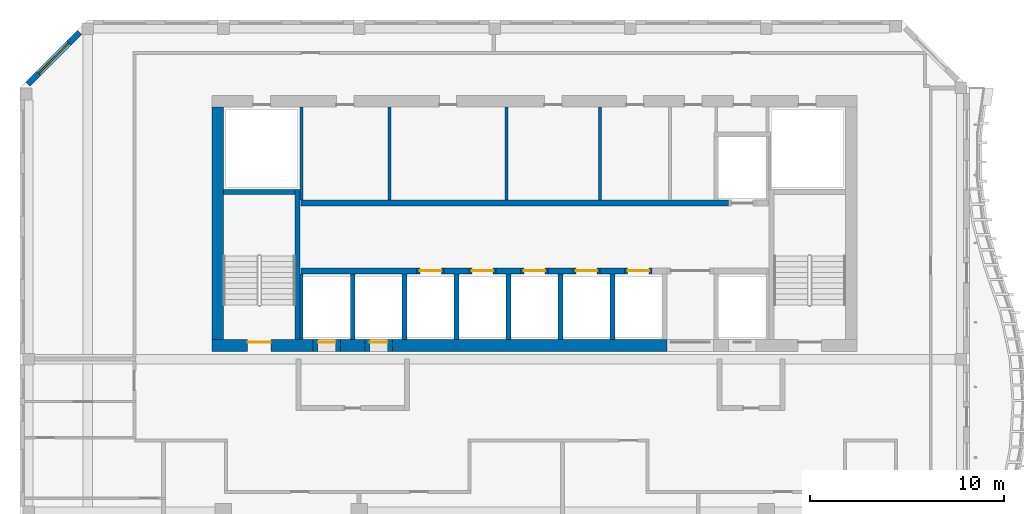
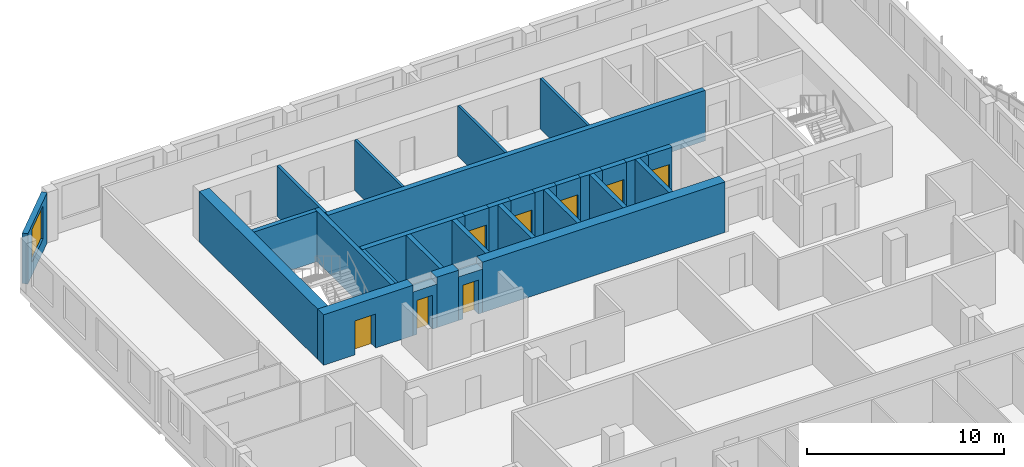
# One storey, part 6 of 17: 31 walls, 8 doors, 1 window, 9 openings.
"""IFC4 building model written with IfcOpenShell, lengths in metres."""

from ifc_helpers import new_model, si_unit, direction, frame, frame_2d, origin, place, context, subcontext, project, spatial, rectangle, extrude, source, transform, mapped, material, layer, layer_set, type_object, element, fill, save


model = new_model("IFC4")

# Units and contexts
model_context = context("Model", 3, precision=1e-05, world=origin(), true_north=direction((0.0, 1.0)))
body_context = subcontext(model_context, "Body", "Model", "MODEL_VIEW")
ifc_project = project(units=[si_unit("LENGTHUNIT", "METRE"), si_unit("AREAUNIT", "SQUARE_METRE"), si_unit("VOLUMEUNIT", "CUBIC_METRE"), si_unit("PLANEANGLEUNIT", "RADIAN"), si_unit("MASSUNIT", "GRAM", prefix="KILO")], contexts=[model_context])

# Site, building, storey
site_placement = place(None, origin())
site = spatial("IfcSite", under=ifc_project, at=site_placement, CompositionType="ELEMENT")
building_placement = place(site_placement, origin())
building = spatial("IfcBuilding", under=site, at=building_placement, Name="Kilnfold Tower and Market Hall", CompositionType="ELEMENT")
storey_placement = place(building_placement, frame((0.0, 0.0, 305.199951171875)))
storey = spatial("IfcBuildingStorey", under=building, at=storey_placement, Name="L76", CompositionType="ELEMENT", Elevation=305.199951171875)

# Walls
ifc_material_1 = material(Name="Concrete C50", Category="concrete")
ifc_layer_1 = layer(ifc_material_1, 0.25)
ifc_layer_set_1 = layer_set([ifc_layer_1], Name="Concrete C50")
wall_type_1 = type_object("IfcWallType", Name="CORE WALL 250 C50", PredefinedType="SHEAR", material=ifc_layer_set_1)
shared_shape_1 = source(origin(), body_context, "Body", "SweptSolid", [
    extrude(rectangle(XDim=7.75, YDim=0.25, at=frame_2d((3.875, 0.0))), origin(), (0.0, 0.0, 1.0), 3.1201171875),
])
wall_1_placement = place(storey_placement, frame((-11.175048828125, 9.0, 0.0), z_axis=(0.0, 0.0, 1.0), x_axis=(0.0, 1.0, 0.0)))
element("IfcWall", 1, at=wall_1_placement, inside=storey, type_object=wall_type_1, Name="Stair enclosure ST1", PredefinedType="SHEAR", context=body_context, shape_type="MappedRepresentation", body=[
    mapped(shared_shape_1, transform((0.0, 0.0, 0.0))),
])
shared_shape_2 = source(origin(), body_context, "Body", "SweptSolid", [
    extrude(rectangle(XDim=3.699951171875, YDim=0.25, at=frame_2d((1.85009765625, 0.0))), origin(), (0.0, 0.0, 1.0), 3.1201171875),
])
wall_2_placement = place(storey_placement, frame((-15.0, 16.625, 0.0), z_axis=(0.0, 0.0, 1.0), x_axis=(1.0, 0.0, 0.0)))
element("IfcWall", 2, at=wall_2_placement, inside=storey, type_object=wall_type_1, Name="Stair enclosure ST1", PredefinedType="SHEAR", context=body_context, shape_type="MappedRepresentation", body=[
    mapped(shared_shape_2, transform((0.0, 0.0, 0.0))),
])
ifc_material_2 = material(Name="Concrete C50", Category="concrete")
ifc_layer_2 = layer(ifc_material_2, 0.300048828125)
ifc_layer_set_2 = layer_set([ifc_layer_2], Name="Concrete C50")
wall_type_2 = type_object("IfcWallType", Name="CORE WALL 300 C50", PredefinedType="SHEAR", material=ifc_layer_set_2)
shared_shape_3 = source(origin(), body_context, "Body", "SweptSolid", [
    extrude(rectangle(XDim=6.0, YDim=0.300048828125, at=frame_2d((3.0, 0.0))), origin(), (0.0, 0.0, 1.0), 3.1201171875),
])
wall_3_placement = place(storey_placement, frame((-11.010009765625, 12.550048828125, 0.0), z_axis=(0.0, 0.0, 1.0), x_axis=(1.0, 0.0, 0.0)))
element("IfcWall", 3, at=wall_3_placement, inside=storey, type_object=wall_type_2, Name="Core spine wall", PredefinedType="SHEAR", context=body_context, shape_type="MappedRepresentation", body=[
    mapped(shared_shape_3, transform((0.0, 0.0, 0.0))),
])
shared_shape_4 = source(origin(), body_context, "Body", "SweptSolid", [
    extrude(rectangle(XDim=1.280029296875, YDim=0.300048828125, at=frame_2d((0.64013671875, 0.0))), origin(), (0.0, 0.0, 1.0), 3.1201171875),
])
for number, where, z_axis, x_axis, name in (
    (4, (-3.610107421875, 12.550048828125, 0.0), (0.0, 0.0, 1.0), (1.0, 0.0, 0.0), "Core spine wall"),
    (5, (-0.929931640625, 12.550048828125, 0.0), (0.0, 0.0, 1.0), (1.0, 0.0, 0.0), "Core spine wall"),
    (6, (1.75, 12.550048828125, 0.0), (0.0, 0.0, 1.0), (1.0, 0.0, 0.0), "Core spine wall"),
    (7, (4.429931640625, 12.550048828125, 0.0), (0.0, 0.0, 1.0), (1.0, 0.0, 0.0), "Core spine wall"),
):
    element("IfcWall", number, at=place(storey_placement, frame(where, z_axis=z_axis, x_axis=x_axis)), inside=storey, type_object=wall_type_2, Name=name, PredefinedType="SHEAR", context=body_context, shape_type="MappedRepresentation", body=[
        mapped(shared_shape_4, transform((0.0, 0.0, 0.0))),
    ])
shared_shape_5 = source(origin(), body_context, "Body", "SweptSolid", [
    extrude(rectangle(XDim=22.080078125, YDim=0.300048828125, at=frame_2d((11.0400390625, 0.0))), origin(), (0.0, 0.0, 1.0), 3.1201171875),
])
wall_4_placement = place(storey_placement, frame((-11.010009765625, 16.050048828125, 0.0), z_axis=(0.0, 0.0, 1.0), x_axis=(1.0, 0.0, 0.0)))
element("IfcWall", 8, at=wall_4_placement, inside=storey, type_object=wall_type_2, Name="Core spine wall", PredefinedType="SHEAR", context=body_context, shape_type="MappedRepresentation", body=[
    mapped(shared_shape_5, transform((0.0, 0.0, 0.0))),
])

# Wall, opening, door
ifc_material_3 = material(Name="Concrete C50", Category="concrete")
ifc_layer_3 = layer(ifc_material_3, 0.60009765625)
ifc_layer_set_3 = layer_set([ifc_layer_3], Name="Concrete C50")
wall_type_3 = type_object("IfcWallType", Name="CORE WALL 600 C50", PredefinedType="SHEAR", material=ifc_layer_set_3)
shared_shape_6 = source(origin(), body_context, "Body", "SweptSolid", [
    extrude(rectangle(XDim=5.22998046875, YDim=0.60009765625, at=frame_2d((2.614990234375, 0.0))), origin(), (0.0, 0.0, 1.0), 3.1201171875),
])
wall_5_placement = place(storey_placement, frame((-15.60009765625, 8.699951171875, 0.0), z_axis=(0.0, 0.0, 1.0), x_axis=(1.0, 0.0, 0.0)))
wall_5 = element("IfcWall", 9, at=wall_5_placement, inside=storey, type_object=wall_type_3, Name="Core outer wall south", PredefinedType="SHEAR", context=body_context, shape_type="MappedRepresentation", body=[
    mapped(shared_shape_6, transform((0.0, 0.0, 0.0))),
])
opening_1_placement = place(wall_5_placement, frame((1.85009765625, 0.0, 0.0)))
opening_1 = element("IfcOpeningElement", 10, at=opening_1_placement, cuts=wall_5, Name="Opening SD1", PredefinedType="OPENING", context=body_context, shape_type="SweptSolid", body=[
    extrude(rectangle(XDim=1.199951171875, YDim=2.10009765625, at=frame_2d((0.60009765625, 1.050048828125))), frame((0.0, 0.31005859375, 0.0), z_axis=(0.0, -1.0, 0.0), x_axis=(1.0, 0.0, 0.0)), (0.0, 0.0, 1.0), 0.6201171875),
])
ifc_material_4 = material(Name="Steel door set with fire-resisting leaf", Category="steel")
door_type_1 = type_object("IfcDoorType", Name="STAIR FLOOR DOOR 1200X2100", OperationType="NOTDEFINED", PredefinedType="DOOR", material=ifc_material_4)
door_1_placement = place(opening_1_placement, origin())
door_1 = element("IfcDoor", 11, at=door_1_placement, inside=storey, type_object=door_type_1, Name="Exit stair ST1 door", OperationType="DOUBLE_DOOR_SINGLE_SWING", OverallHeight=2.10009765625, OverallWidth=1.199951171875, PredefinedType="DOOR", context=body_context, shape_type="SweptSolid", body=[
    extrude(rectangle(XDim=1.199951171875, YDim=2.10009765625, at=frame_2d((0.60009765625, 1.050048828125))), frame((0.0, 0.205078125, 0.0), z_axis=(0.0, -1.0, 0.0), x_axis=(1.0, 0.0, 0.0)), (0.0, 0.0, 1.0), 0.050048828125),
])
fill(opening_1, door_1)

# Walls
shared_shape_7 = source(origin(), body_context, "Body", "SweptSolid", [
    extrude(rectangle(XDim=1.280029296875, YDim=0.60009765625, at=frame_2d((0.64013671875, 0.0))), origin(), (0.0, 0.0, 1.0), 3.1201171875),
])
wall_6_placement = place(storey_placement, frame((-8.969970703125, 8.699951171875, 0.0), z_axis=(0.0, 0.0, 1.0), x_axis=(1.0, 0.0, 0.0)))
element("IfcWall", 12, at=wall_6_placement, inside=storey, type_object=wall_type_3, Name="Core outer wall south", PredefinedType="SHEAR", context=body_context, shape_type="MappedRepresentation", body=[
    mapped(shared_shape_7, transform((0.0, 0.0, 0.0))),
])
shared_shape_8 = source(origin(), body_context, "Body", "SweptSolid", [
    extrude(rectangle(XDim=14.179931640625, YDim=0.60009765625, at=frame_2d((7.08984375, 0.0))), origin(), (0.0, 0.0, 1.0), 3.1201171875),
])
wall_7_placement = place(storey_placement, frame((-6.2900390625, 8.699951171875, 0.0), z_axis=(0.0, 0.0, 1.0), x_axis=(1.0, 0.0, 0.0)))
element("IfcWall", 13, at=wall_7_placement, inside=storey, type_object=wall_type_3, Name="Core outer wall south", PredefinedType="SHEAR", context=body_context, shape_type="MappedRepresentation", body=[
    mapped(shared_shape_8, transform((0.0, 0.0, 0.0))),
])
shared_shape_9 = source(origin(), body_context, "Body", "SweptSolid", [
    extrude(rectangle(XDim=12.0, YDim=0.60009765625, at=frame_2d((6.0, 0.0))), origin(), (0.0, 0.0, 1.0), 3.1201171875),
])
wall_8_placement = place(storey_placement, frame((-15.300048828125, 9.0, 0.0), z_axis=(0.0, 0.0, 1.0), x_axis=(0.0, 1.0, 0.0)))
element("IfcWall", 14, at=wall_8_placement, inside=storey, type_object=wall_type_3, Name="Core outer wall west", PredefinedType="SHEAR", context=body_context, shape_type="MappedRepresentation", body=[
    mapped(shared_shape_9, transform((0.0, 0.0, 0.0))),
])

# Wall, opening, window
ifc_material_5 = material(Name="Precast concrete C50/60", Category="concrete")
ifc_layer_4 = layer(ifc_material_5, 0.300048828125)
ifc_layer_set_4 = layer_set([ifc_layer_4], Name="Precast concrete C50/60")
wall_type_4 = type_object("IfcWallType", Name="PRECAST WALL 300", PredefinedType="SOLIDWALL", material=ifc_layer_set_4)
shared_shape_10 = source(origin(), body_context, "Body", "SweptSolid", [
    extrude(rectangle(XDim=3.783203125, YDim=0.300048828125, at=frame_2d((1.8916015625, 0.0))), origin(), (0.0, 0.0, 1.0), 3.1201171875),
])
wall_9_placement = place(storey_placement, frame((-22.4189453125, 24.868896484375, 0.0), z_axis=(0.0, 0.0, 1.0), x_axis=(-0.707106781187, -0.707106781187, 0.0)))
wall_9 = element("IfcWall", 15, at=wall_9_placement, inside=storey, type_object=wall_type_4, Name="External wall L76 NW", PredefinedType="SOLIDWALL", context=body_context, shape_type="MappedRepresentation", body=[
    mapped(shared_shape_10, transform((0.0, 0.0, 0.0))),
])
opening_2_placement = place(wall_9_placement, frame((0.79150390625, 0.0, 0.800048828125)))
opening_2 = element("IfcOpeningElement", 16, at=opening_2_placement, cuts=wall_9, Name="Opening W3", PredefinedType="OPENING", context=body_context, shape_type="SweptSolid", body=[
    extrude(rectangle(XDim=2.199951171875, YDim=2.050048828125, at=frame_2d((1.10009765625, 1.02490234375))), frame((0.0, 0.16015625, 0.0), z_axis=(0.0, -1.0, 0.0), x_axis=(1.0, 0.0, 0.0)), (0.0, 0.0, 1.0), 0.320068359375),
])
ifc_material_6 = material(Name="Aluminium frame and double glazing", Category="aluminium")
window_type = type_object("IfcWindowType", Name="WINDOW W3 2200X2050", PartitioningType="SINGLE_PANEL", PredefinedType="WINDOW", material=ifc_material_6)
window_placement = place(opening_2_placement, origin())
window = element("IfcWindow", 17, at=window_placement, inside=storey, type_object=window_type, Name="Window W3 L76 NW-1", OverallHeight=2.050048828125, OverallWidth=2.199951171875, PartitioningType="SINGLE_PANEL", PredefinedType="WINDOW", context=body_context, shape_type="SweptSolid", body=[
    extrude(rectangle(XDim=2.199951171875, YDim=2.050048828125, at=frame_2d((1.10009765625, 1.02490234375))), frame((0.0, 0.030029296875, 0.0), z_axis=(0.0, -1.0, 0.0), x_axis=(1.0, 0.0, 0.0)), (0.0, 0.0, 1.0), 0.06005859375),
])
fill(opening_2, window)

# Wall, opening, door
ifc_material_7 = material(Name="Gypsum shaft wall system")
ifc_layer_5 = layer(ifc_material_7, 0.300048828125)
ifc_layer_set_5 = layer_set([ifc_layer_5], Name="Gypsum shaft wall system")
wall_type_5 = type_object("IfcWallType", Name="SHAFT WALL 300", PredefinedType="PARTITIONING", material=ifc_layer_set_5)
shared_shape_11 = source(origin(), body_context, "Body", "SweptSolid", [
    extrude(rectangle(XDim=1.39990234375, YDim=0.300048828125, at=frame_2d((0.699951171875, 0.0))), origin(), (0.0, 0.0, 1.0), 3.1201171875),
])
wall_10_placement = place(storey_placement, frame((-5.010009765625, 12.550048828125, 0.0), z_axis=(0.0, 0.0, 1.0), x_axis=(1.0, 0.0, 0.0)))
wall_10 = element("IfcWall", 18, at=wall_10_placement, inside=storey, type_object=wall_type_5, Name="Lift shaft front wall", PredefinedType="PARTITIONING", context=body_context, shape_type="MappedRepresentation", body=[
    mapped(shared_shape_11, transform((0.0, 0.0, 0.0))),
])
opening_3_placement = place(wall_10_placement, frame((0.14990234375, 0.0, 0.0)))
opening_3 = element("IfcOpeningElement", 19, at=opening_3_placement, cuts=wall_10, Name="Opening LD2", PredefinedType="OPENING", context=body_context, shape_type="SweptSolid", body=[
    extrude(rectangle(XDim=1.10009765625, YDim=2.10009765625, at=frame_2d((0.550048828125, 1.050048828125))), frame((0.0, 0.16015625, 0.0), z_axis=(0.0, -1.0, 0.0), x_axis=(1.0, 0.0, 0.0)), (0.0, 0.0, 1.0), 0.320068359375),
])
ifc_material_8 = material(Name="Steel door set with fire-resisting leaf", Category="steel")
door_type_2 = type_object("IfcDoorType", Name="LANDING DOOR 1100X2100", OperationType="NOTDEFINED", PredefinedType="DOOR", material=ifc_material_8)
door_2_placement = place(opening_3_placement, origin())
door_2 = element("IfcDoor", 20, at=door_2_placement, inside=storey, type_object=door_type_2, Name="Landing door HR1", OperationType="DOUBLE_DOOR_SLIDING", OverallHeight=2.10009765625, OverallWidth=1.10009765625, PredefinedType="DOOR", context=body_context, shape_type="SweptSolid", body=[
    extrude(rectangle(XDim=1.10009765625, YDim=2.10009765625, at=frame_2d((0.550048828125, 1.050048828125))), frame((0.0, 0.02490234375, 0.0), z_axis=(0.0, -1.0, 0.0), x_axis=(1.0, 0.0, 0.0)), (0.0, 0.0, 1.0), 0.050048828125),
])
fill(opening_3, door_2)

wall_11_placement = place(storey_placement, frame((0.35009765625, 12.550048828125, 0.0), z_axis=(0.0, 0.0, 1.0), x_axis=(1.0, 0.0, 0.0)))
wall_11 = element("IfcWall", 21, at=wall_11_placement, inside=storey, type_object=wall_type_5, Name="Lift shaft front wall", PredefinedType="PARTITIONING", context=body_context, shape_type="MappedRepresentation", body=[
    mapped(shared_shape_11, transform((0.0, 0.0, 0.0))),
])
opening_4_placement = place(wall_11_placement, frame((0.14990234375, 0.0, 0.0)))
opening_4 = element("IfcOpeningElement", 22, at=opening_4_placement, cuts=wall_11, Name="Opening LD2", PredefinedType="OPENING", context=body_context, shape_type="SweptSolid", body=[
    extrude(rectangle(XDim=1.10009765625, YDim=2.10009765625, at=frame_2d((0.550048828125, 1.050048828125))), frame((0.0, 0.16015625, 0.0), z_axis=(0.0, -1.0, 0.0), x_axis=(1.0, 0.0, 0.0)), (0.0, 0.0, 1.0), 0.320068359375),
])
door_3_placement = place(opening_4_placement, origin())
door_3 = element("IfcDoor", 23, at=door_3_placement, inside=storey, type_object=door_type_2, Name="Landing door HR3", OperationType="DOUBLE_DOOR_SLIDING", OverallHeight=2.10009765625, OverallWidth=1.10009765625, PredefinedType="DOOR", context=body_context, shape_type="SweptSolid", body=[
    extrude(rectangle(XDim=1.10009765625, YDim=2.10009765625, at=frame_2d((0.550048828125, 1.050048828125))), frame((0.0, 0.02490234375, 0.0), z_axis=(0.0, -1.0, 0.0), x_axis=(1.0, 0.0, 0.0)), (0.0, 0.0, 1.0), 0.050048828125),
])
fill(opening_4, door_3)

wall_12_placement = place(storey_placement, frame((3.030029296875, 12.550048828125, 0.0), z_axis=(0.0, 0.0, 1.0), x_axis=(1.0, 0.0, 0.0)))
wall_12 = element("IfcWall", 24, at=wall_12_placement, inside=storey, type_object=wall_type_5, Name="Lift shaft front wall", PredefinedType="PARTITIONING", context=body_context, shape_type="MappedRepresentation", body=[
    mapped(shared_shape_11, transform((0.0, 0.0, 0.0))),
])
opening_5_placement = place(wall_12_placement, frame((0.14990234375, 0.0, 0.0)))
opening_5 = element("IfcOpeningElement", 25, at=opening_5_placement, cuts=wall_12, Name="Opening LD2", PredefinedType="OPENING", context=body_context, shape_type="SweptSolid", body=[
    extrude(rectangle(XDim=1.10009765625, YDim=2.10009765625, at=frame_2d((0.550048828125, 1.050048828125))), frame((0.0, 0.16015625, 0.0), z_axis=(0.0, -1.0, 0.0), x_axis=(1.0, 0.0, 0.0)), (0.0, 0.0, 1.0), 0.320068359375),
])
door_4_placement = place(opening_5_placement, origin())
door_4 = element("IfcDoor", 26, at=door_4_placement, inside=storey, type_object=door_type_2, Name="Landing door HR4", OperationType="DOUBLE_DOOR_SLIDING", OverallHeight=2.10009765625, OverallWidth=1.10009765625, PredefinedType="DOOR", context=body_context, shape_type="SweptSolid", body=[
    extrude(rectangle(XDim=1.10009765625, YDim=2.10009765625, at=frame_2d((0.550048828125, 1.050048828125))), frame((0.0, 0.02490234375, 0.0), z_axis=(0.0, -1.0, 0.0), x_axis=(1.0, 0.0, 0.0)), (0.0, 0.0, 1.0), 0.050048828125),
])
fill(opening_5, door_4)

shared_shape_12 = source(origin(), body_context, "Body", "SweptSolid", [
    extrude(rectangle(XDim=1.400146484375, YDim=0.300048828125, at=frame_2d((0.7001953125, 0.0))), origin(), (0.0, 0.0, 1.0), 3.1201171875),
])
wall_13_placement = place(storey_placement, frame((-2.330078125, 12.550048828125, 0.0), z_axis=(0.0, 0.0, 1.0), x_axis=(1.0, 0.0, 0.0)))
wall_13 = element("IfcWall", 27, at=wall_13_placement, inside=storey, type_object=wall_type_5, Name="Lift shaft front wall", PredefinedType="PARTITIONING", context=body_context, shape_type="MappedRepresentation", body=[
    mapped(shared_shape_12, transform((0.0, 0.0, 0.0))),
])
opening_6_placement = place(wall_13_placement, frame((0.14990234375, 0.0, 0.0)))
opening_6 = element("IfcOpeningElement", 28, at=opening_6_placement, cuts=wall_13, Name="Opening LD2", PredefinedType="OPENING", context=body_context, shape_type="SweptSolid", body=[
    extrude(rectangle(XDim=1.10009765625, YDim=2.10009765625, at=frame_2d((0.550048828125, 1.050048828125))), frame((0.0, 0.16015625, 0.0), z_axis=(0.0, -1.0, 0.0), x_axis=(1.0, 0.0, 0.0)), (0.0, 0.0, 1.0), 0.320068359375),
])
door_5_placement = place(opening_6_placement, origin())
door_5 = element("IfcDoor", 29, at=door_5_placement, inside=storey, type_object=door_type_2, Name="Landing door HR2", OperationType="DOUBLE_DOOR_SLIDING", OverallHeight=2.10009765625, OverallWidth=1.10009765625, PredefinedType="DOOR", context=body_context, shape_type="SweptSolid", body=[
    extrude(rectangle(XDim=1.10009765625, YDim=2.10009765625, at=frame_2d((0.550048828125, 1.050048828125))), frame((0.0, 0.02490234375, 0.0), z_axis=(0.0, -1.0, 0.0), x_axis=(1.0, 0.0, 0.0)), (0.0, 0.0, 1.0), 0.050048828125),
])
fill(opening_6, door_5)

wall_14_placement = place(storey_placement, frame((5.7099609375, 12.550048828125, 0.0), z_axis=(0.0, 0.0, 1.0), x_axis=(1.0, 0.0, 0.0)))
wall_14 = element("IfcWall", 30, at=wall_14_placement, inside=storey, type_object=wall_type_5, Name="Lift shaft front wall", PredefinedType="PARTITIONING", context=body_context, shape_type="MappedRepresentation", body=[
    mapped(shared_shape_12, transform((0.0, 0.0, 0.0))),
])
opening_7_placement = place(wall_14_placement, frame((0.14990234375, 0.0, 0.0)))
opening_7 = element("IfcOpeningElement", 31, at=opening_7_placement, cuts=wall_14, Name="Opening LD2", PredefinedType="OPENING", context=body_context, shape_type="SweptSolid", body=[
    extrude(rectangle(XDim=1.10009765625, YDim=2.10009765625, at=frame_2d((0.550048828125, 1.050048828125))), frame((0.0, 0.16015625, 0.0), z_axis=(0.0, -1.0, 0.0), x_axis=(1.0, 0.0, 0.0)), (0.0, 0.0, 1.0), 0.320068359375),
])
door_6_placement = place(opening_7_placement, origin())
door_6 = element("IfcDoor", 32, at=door_6_placement, inside=storey, type_object=door_type_2, Name="Landing door HR5", OperationType="DOUBLE_DOOR_SLIDING", OverallHeight=2.10009765625, OverallWidth=1.10009765625, PredefinedType="DOOR", context=body_context, shape_type="SweptSolid", body=[
    extrude(rectangle(XDim=1.10009765625, YDim=2.10009765625, at=frame_2d((0.550048828125, 1.050048828125))), frame((0.0, 0.02490234375, 0.0), z_axis=(0.0, -1.0, 0.0), x_axis=(1.0, 0.0, 0.0)), (0.0, 0.0, 1.0), 0.050048828125),
])
fill(opening_7, door_6)

# Walls
ifc_material_9 = material(Name="Gypsum shaft wall system")
ifc_layer_6 = layer(ifc_material_9, 0.1650390625)
ifc_layer_set_6 = layer_set([ifc_layer_6], Name="Gypsum shaft wall system")
wall_type_6 = type_object("IfcWallType", Name="SHAFT WALL 165", PredefinedType="PARTITIONING", material=ifc_layer_set_6)
shared_shape_13 = source(origin(), body_context, "Body", "SweptSolid", [
    extrude(rectangle(XDim=4.800048828125, YDim=0.1650390625, at=frame_2d((2.39990234375, 0.0))), origin(), (0.0, 0.0, 1.0), 3.1201171875),
])
wall_15_placement = place(storey_placement, frame((-10.967529296875, 16.199951171875, 0.0), z_axis=(0.0, 0.0, 1.0), x_axis=(0.0, 1.0, 0.0)))
element("IfcWall", 33, at=wall_15_placement, inside=storey, type_object=wall_type_6, Name="Lift shaft wall", PredefinedType="PARTITIONING", context=body_context, shape_type="MappedRepresentation", body=[
    mapped(shared_shape_13, transform((0.0, 0.0, 0.0))),
])
ifc_material_10 = material(Name="Gypsum shaft wall system")
ifc_layer_7 = layer(ifc_material_10, 0.25)
ifc_layer_set_7 = layer_set([ifc_layer_7], Name="Gypsum shaft wall system")
wall_type_7 = type_object("IfcWallType", Name="SHAFT WALL 250", PredefinedType="PARTITIONING", material=ifc_layer_set_7)
shared_shape_14 = source(origin(), body_context, "Body", "SweptSolid", [
    extrude(rectangle(XDim=3.39990234375, YDim=0.25, at=frame_2d((1.699951171875, 0.0))), origin(), (0.0, 0.0, 1.0), 3.1201171875),
])
for number, where, z_axis, x_axis, name in (
    (34, (2.389892578125, 9.0, 0.0), (0.0, 0.0, 1.0), (0.0, 1.0, 0.0), "Lift shaft wall"),
    (35, (5.070068359375, 9.0, 0.0), (0.0, 0.0, 1.0), (0.0, 1.0, 0.0), "Lift shaft wall"),
    (36, (-0.2900390625, 9.0, 0.0), (0.0, 0.0, 1.0), (0.0, 1.0, 0.0), "Lift shaft wall"),
    (37, (-2.969970703125, 9.0, 0.0), (0.0, 0.0, 1.0), (0.0, 1.0, 0.0), "Lift shaft wall"),
    (38, (-5.64990234375, 9.0, 0.0), (0.0, 0.0, 1.0), (0.0, 1.0, 0.0), "Lift shaft wall"),
    (39, (-8.330078125, 9.0, 0.0), (0.0, 0.0, 1.0), (0.0, 1.0, 0.0), "Lift shaft wall"),
):
    element("IfcWall", number, at=place(storey_placement, frame(where, z_axis=z_axis, x_axis=x_axis)), inside=storey, type_object=wall_type_7, Name=name, PredefinedType="PARTITIONING", context=body_context, shape_type="MappedRepresentation", body=[
        mapped(shared_shape_14, transform((0.0, 0.0, 0.0))),
    ])
shared_shape_15 = source(origin(), body_context, "Body", "SweptSolid", [
    extrude(rectangle(XDim=3.39990234375, YDim=0.1650390625, at=frame_2d((1.699951171875, 0.0))), origin(), (0.0, 0.0, 1.0), 3.1201171875),
])
wall_16_placement = place(storey_placement, frame((-10.967529296875, 9.0, 0.0), z_axis=(0.0, 0.0, 1.0), x_axis=(0.0, 1.0, 0.0)))
element("IfcWall", 40, at=wall_16_placement, inside=storey, type_object=wall_type_6, Name="Lift shaft wall", PredefinedType="PARTITIONING", context=body_context, shape_type="MappedRepresentation", body=[
    mapped(shared_shape_15, transform((0.0, 0.0, 0.0))),
])
ifc_material_11 = material(Name="Gypsum shaft wall system")
ifc_layer_8 = layer(ifc_material_11, 0.14990234375)
ifc_layer_set_8 = layer_set([ifc_layer_8], Name="Gypsum shaft wall system")
wall_type_8 = type_object("IfcWallType", Name="ROOM WALL 150", PredefinedType="PARTITIONING", material=ifc_layer_set_8)
shared_shape_16 = source(origin(), body_context, "Body", "SweptSolid", [
    extrude(rectangle(XDim=4.800048828125, YDim=0.14990234375, at=frame_2d((2.39990234375, 0.0))), origin(), (0.0, 0.0, 1.0), 3.1201171875),
])
for number, where, z_axis, x_axis, name in (
    (41, (-6.42724609375, 16.199951171875, 0.0), (0.0, 0.0, 1.0), (0.0, 1.0, 0.0), "Core room wall"),
    (42, (-0.397216796875, 16.199951171875, 0.0), (0.0, 0.0, 1.0), (0.0, 1.0, 0.0), "Core room wall"),
    (43, (4.4267578125, 16.199951171875, 0.0), (0.0, 0.0, 1.0), (0.0, 1.0, 0.0), "Core room wall"),
):
    element("IfcWall", number, at=place(storey_placement, frame(where, z_axis=z_axis, x_axis=x_axis)), inside=storey, type_object=wall_type_8, Name=name, PredefinedType="PARTITIONING", context=body_context, shape_type="MappedRepresentation", body=[
        mapped(shared_shape_16, transform((0.0, 0.0, 0.0))),
    ])

# Wall, opening, door
ifc_material_12 = material(Name="Gypsum shaft wall system")
ifc_layer_9 = layer(ifc_material_12, 0.60009765625)
ifc_layer_set_9 = layer_set([ifc_layer_9], Name="Gypsum shaft wall system")
wall_type_9 = type_object("IfcWallType", Name="LOBBY WALL 600", PredefinedType="PARTITIONING", material=ifc_layer_set_9)
shared_shape_17 = source(origin(), body_context, "Body", "SweptSolid", [
    extrude(rectangle(XDim=1.400146484375, YDim=0.60009765625, at=frame_2d((0.7001953125, 0.0))), origin(), (0.0, 0.0, 1.0), 2.699951171875),
])
wall_17_placement = place(storey_placement, frame((-10.3701171875, 8.699951171875, 0.0), z_axis=(0.0, 0.0, 1.0), x_axis=(1.0, 0.0, 0.0)))
wall_17 = element("IfcWall", 44, at=wall_17_placement, inside=storey, type_object=wall_type_9, Name="Core wall infill", PredefinedType="PARTITIONING", context=body_context, shape_type="MappedRepresentation", body=[
    mapped(shared_shape_17, transform((0.0, 0.0, 0.0))),
])
opening_8_placement = place(wall_17_placement, frame((0.25, 0.0, 0.0)))
opening_8 = element("IfcOpeningElement", 45, at=opening_8_placement, cuts=wall_17, Name="Opening LD1", PredefinedType="OPENING", context=body_context, shape_type="SweptSolid", body=[
    extrude(rectangle(XDim=0.89990234375, YDim=2.10009765625, at=frame_2d((0.449951171875, 1.050048828125))), frame((0.0, 0.31005859375, 0.0), z_axis=(0.0, -1.0, 0.0), x_axis=(1.0, 0.0, 0.0)), (0.0, 0.0, 1.0), 0.6201171875),
])
ifc_material_13 = material(Name="Steel door set with fire-resisting leaf", Category="steel")
door_type_3 = type_object("IfcDoorType", Name="FIREFIGHTING LANDING DOOR 900X2100", OperationType="NOTDEFINED", PredefinedType="DOOR", material=ifc_material_13)
door_7_placement = place(opening_8_placement, origin())
door_7 = element("IfcDoor", 46, at=door_7_placement, inside=storey, type_object=door_type_3, Name="Landing door FF1", OperationType="SLIDING_TO_LEFT", OverallHeight=2.10009765625, OverallWidth=0.89990234375, PredefinedType="DOOR", context=body_context, shape_type="SweptSolid", body=[
    extrude(rectangle(XDim=0.89990234375, YDim=2.10009765625, at=frame_2d((0.449951171875, 1.050048828125))), frame((0.0, 0.205078125, 0.0), z_axis=(0.0, -1.0, 0.0), x_axis=(1.0, 0.0, 0.0)), (0.0, 0.0, 1.0), 0.050048828125),
])
fill(opening_8, door_7)

shared_shape_18 = source(origin(), body_context, "Body", "SweptSolid", [
    extrude(rectangle(XDim=1.39990234375, YDim=0.60009765625, at=frame_2d((0.699951171875, 0.0))), origin(), (0.0, 0.0, 1.0), 2.699951171875),
])
wall_18_placement = place(storey_placement, frame((-7.68994140625, 8.699951171875, 0.0), z_axis=(0.0, 0.0, 1.0), x_axis=(1.0, 0.0, 0.0)))
wall_18 = element("IfcWall", 47, at=wall_18_placement, inside=storey, type_object=wall_type_9, Name="Core wall infill", PredefinedType="PARTITIONING", context=body_context, shape_type="MappedRepresentation", body=[
    mapped(shared_shape_18, transform((0.0, 0.0, 0.0))),
])
opening_9_placement = place(wall_18_placement, frame((0.25, 0.0, 0.0)))
opening_9 = element("IfcOpeningElement", 48, at=opening_9_placement, cuts=wall_18, Name="Opening LD1", PredefinedType="OPENING", context=body_context, shape_type="SweptSolid", body=[
    extrude(rectangle(XDim=0.89990234375, YDim=2.10009765625, at=frame_2d((0.449951171875, 1.050048828125))), frame((0.0, 0.31005859375, 0.0), z_axis=(0.0, -1.0, 0.0), x_axis=(1.0, 0.0, 0.0)), (0.0, 0.0, 1.0), 0.6201171875),
])
door_8_placement = place(opening_9_placement, origin())
door_8 = element("IfcDoor", 49, at=door_8_placement, inside=storey, type_object=door_type_3, Name="Landing door FF2", OperationType="SLIDING_TO_RIGHT", OverallHeight=2.10009765625, OverallWidth=0.89990234375, PredefinedType="DOOR", context=body_context, shape_type="SweptSolid", body=[
    extrude(rectangle(XDim=0.89990234375, YDim=2.10009765625, at=frame_2d((0.449951171875, 1.050048828125))), frame((0.0, 0.205078125, 0.0), z_axis=(0.0, -1.0, 0.0), x_axis=(1.0, 0.0, 0.0)), (0.0, 0.0, 1.0), 0.050048828125),
])
fill(opening_9, door_8)

save(model, "model.ifc")
